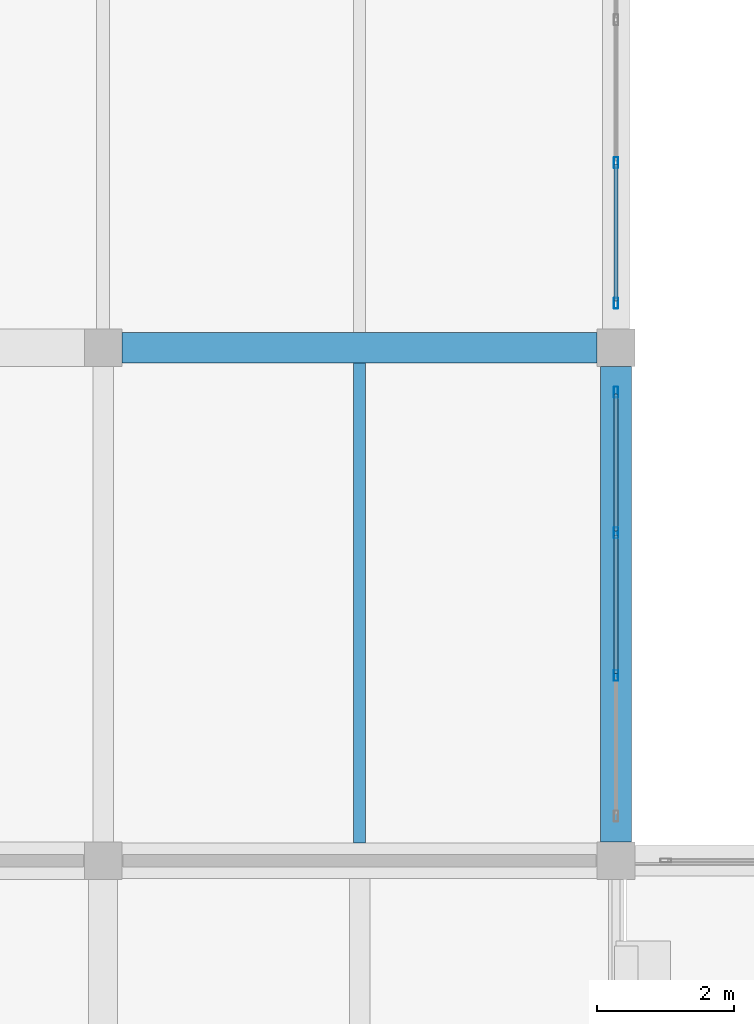
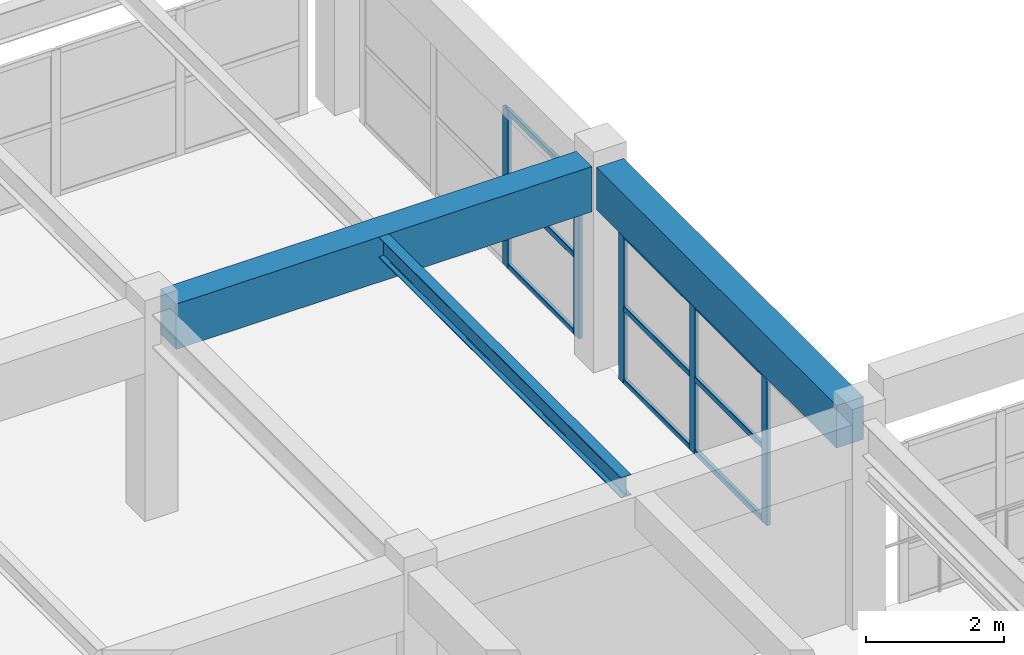
# One storey, part 34 of 101: 14 members, 3 beams, 2 elements without a shape of their own.
"""IFC4 building model written with IfcOpenShell, lengths in metres."""

from ifc_helpers import new_model, si_unit, direction, frame, origin, origin_2d, place, context, subcontext, project, spatial, rectangle, hollow_rectangle, i_section, extrude, material, material_profile, profile_set, type_object, element, aggregate, save


model = new_model("IFC4")

# Units and contexts
model_context = context("Model", 3, precision=1e-05, world=origin(), true_north=direction((0.0, 1.0)))
body_context = subcontext(model_context, "Body", "Model", "MODEL_VIEW")
ifc_project = project(units=[si_unit("LENGTHUNIT", "METRE"), si_unit("AREAUNIT", "SQUARE_METRE"), si_unit("VOLUMEUNIT", "CUBIC_METRE"), si_unit("PLANEANGLEUNIT", "RADIAN"), si_unit("MASSUNIT", "GRAM", prefix="KILO")], contexts=[model_context])

# Site, building, storey
site_placement = place(None, origin())
site = spatial("IfcSite", under=ifc_project, at=site_placement, CompositionType="ELEMENT")
building_placement = place(site_placement, origin())
building = spatial("IfcBuilding", under=site, at=building_placement, Name="Qasida Concert Hall", CompositionType="ELEMENT")
storey_placement = place(building_placement, frame((0.0, 0.0, 13.199951171875)))
storey = spatial("IfcBuildingStorey", under=building, at=storey_placement, Name="L03", CompositionType="ELEMENT", Elevation=13.199951171875)

# Beams
ifc_material_1 = material(Name="Concrete C40/50", Category="concrete")
ifc_material_profile_1 = material_profile(ifc_material_1, rectangle(XDim=0.449951171875, YDim=0.800048828125, at=origin_2d()), Name="RC 450x800")
ifc_profile_set_1 = profile_set([ifc_material_profile_1], Name="Concrete C40/50")
beam_type_1 = type_object("IfcBeamType", Name="BM-G2", PredefinedType="USERDEFINED", material=ifc_profile_set_1)
beam_1_placement = place(storey_placement, frame((30.27490234375, 45.0, 3.219970703125), z_axis=(1.0, 0.0, 0.0), x_axis=(0.0, 1.0, 0.0)))
element("IfcBeam", 1, at=beam_1_placement, inside=storey, type_object=beam_type_1, Name="Primary girder 1612", ObjectType="GIRDER", PredefinedType="USERDEFINED", context=body_context, shape_type="SweptSolid", body=[
    extrude(rectangle(XDim=0.449951171875, YDim=0.800048828125, at=origin_2d()), origin(), (0.0, 0.0, 1.0), 6.9501953125),
])
ifc_material_2 = material(Name="Steel S355J2", Category="steel")
ifc_material_profile_2 = material_profile(ifc_material_2, i_section(OverallWidth=0.169921875, OverallDepth=0.360107421875, WebThickness=0.008056640625, FlangeThickness=0.0126953125, FilletRadius=0.01806640625, at=origin_2d()), Name="IPE 360")
ifc_profile_set_2 = profile_set([ifc_material_profile_2], Name="Steel S355J2")
beam_type_2 = type_object("IfcBeamType", Name="BM-J2", PredefinedType="JOIST", material=ifc_profile_set_2)
beam_2_placement = place(storey_placement, frame((33.75, 37.760009765625, 3.43994140625), z_axis=(0.0, 1.0, 0.0), x_axis=(-1.0, 0.0, 0.0)))
element("IfcBeam", 2, at=beam_2_placement, inside=storey, type_object=beam_type_2, Name="L03 secondary joist 1657", PredefinedType="JOIST", context=body_context, shape_type="SweptSolid", body=[
    extrude(i_section(OverallWidth=0.169921875, OverallDepth=0.360107421875, WebThickness=0.008056640625, FlangeThickness=0.0126953125, FilletRadius=0.01806640625, at=origin_2d()), origin(), (0.0, 0.0, 1.0), 7.014892578125),
])
ifc_material_profile_3 = material_profile(ifc_material_1, rectangle(XDim=0.449951171875, YDim=0.75, at=origin_2d()), Name="RC 450x750")
ifc_profile_set_3 = profile_set([ifc_material_profile_3], Name="Concrete C40/50")
beam_type_3 = type_object("IfcBeamType", Name="BM-SP4", PredefinedType="SPANDREL", material=ifc_profile_set_3)
beam_3_placement = place(storey_placement, frame((37.5, 37.77490234375, 3.2451171875), z_axis=(0.0, 1.0, 0.0), x_axis=(-1.0, 0.0, 0.0)))
element("IfcBeam", 3, at=beam_3_placement, inside=storey, type_object=beam_type_3, Name="L03 girder 1634", PredefinedType="SPANDREL", context=body_context, shape_type="SweptSolid", body=[
    extrude(rectangle(XDim=0.449951171875, YDim=0.75, at=origin_2d()), origin(), (0.0, 0.0, 1.0), 6.9501953125),
])

# Curtain wall, members
ifc_material_3 = material(Name="Architectural bronze-anodized aluminium and low-E glass", Category="aluminium")
curtain_wall_type = type_object("IfcCurtainWallType", Name="CW-09", PredefinedType="NOTDEFINED", material=ifc_material_3)
curtain_wall_1_placement = place(storey_placement, origin())
curtain_wall_1 = element("IfcCurtainWall", 4, at=curtain_wall_1_placement, inside=storey, type_object=curtain_wall_type, Name="L03 curtain wall CW-09 0128", PredefinedType="NOTDEFINED")
ifc_material_4 = material(Name="Architectural bronze-anodized aluminium EN AW-6063", Category="aluminium")
ifc_material_profile_4 = material_profile(ifc_material_4, hollow_rectangle(XDim=0.06005859375, YDim=0.159912109375, WallThickness=0.00390625, InnerFilletRadius=0.00390625, OuterFilletRadius=0.008056640625, at=origin_2d()), Name="CWM 160x60x4")
ifc_profile_set_4 = profile_set([ifc_material_profile_4], Name="Architectural bronze-anodized aluminium EN AW-6063")
member_type_1 = type_object("IfcMemberType", Name="MB-CWM-3", PredefinedType="MULLION", material=ifc_profile_set_4)
member_1_placement = place(storey_placement, frame((37.5, 40.206787109375, 0.0), z_axis=(0.0, 0.0, 1.0), x_axis=(-1.0, 0.0, 0.0)))
member_1 = element("IfcMember", 5, at=member_1_placement, type_object=member_type_1, Name="CW-09 mullion 2", PredefinedType="MULLION", context=body_context, shape_type="SweptSolid", body=[
    extrude(hollow_rectangle(XDim=0.06005859375, YDim=0.159912109375, WallThickness=0.00390625, InnerFilletRadius=0.00390625, OuterFilletRadius=0.008056640625, at=origin_2d()), origin(), (0.0, 0.0, 1.0), 2.64013671875),
])
member_2_placement = place(storey_placement, frame((37.5, 42.293212890625, 0.0), z_axis=(0.0, 0.0, 1.0), x_axis=(-1.0, 0.0, 0.0)))
member_2 = element("IfcMember", 6, at=member_2_placement, type_object=member_type_1, Name="CW-09 mullion 3", PredefinedType="MULLION", context=body_context, shape_type="SweptSolid", body=[
    extrude(hollow_rectangle(XDim=0.06005859375, YDim=0.159912109375, WallThickness=0.00390625, InnerFilletRadius=0.00390625, OuterFilletRadius=0.008056640625, at=origin_2d()), origin(), (0.0, 0.0, 1.0), 2.64013671875),
])
member_3_placement = place(storey_placement, frame((37.5, 44.35009765625, 0.0), z_axis=(0.0, 0.0, 1.0), x_axis=(-1.0, 0.0, 0.0)))
member_3 = element("IfcMember", 7, at=member_3_placement, type_object=member_type_1, Name="CW-09 mullion 4", PredefinedType="MULLION", context=body_context, shape_type="SweptSolid", body=[
    extrude(hollow_rectangle(XDim=0.06005859375, YDim=0.159912109375, WallThickness=0.00390625, InnerFilletRadius=0.00390625, OuterFilletRadius=0.008056640625, at=origin_2d()), origin(), (0.0, 0.0, 1.0), 2.64013671875),
])

curtain_wall_2_placement = place(storey_placement, origin())
curtain_wall_2 = element("IfcCurtainWall", 8, at=curtain_wall_2_placement, inside=storey, type_object=curtain_wall_type, Name="L03 curtain wall CW-09 0129", PredefinedType="NOTDEFINED")
member_4_placement = place(storey_placement, frame((37.5, 45.64990234375, 0.0), z_axis=(0.0, 0.0, 1.0), x_axis=(-1.0, 0.0, 0.0)))
member_4 = element("IfcMember", 9, at=member_4_placement, type_object=member_type_1, Name="CW-09 mullion 1", PredefinedType="MULLION", context=body_context, shape_type="SweptSolid", body=[
    extrude(hollow_rectangle(XDim=0.06005859375, YDim=0.159912109375, WallThickness=0.00390625, InnerFilletRadius=0.00390625, OuterFilletRadius=0.008056640625, at=origin_2d()), origin(), (0.0, 0.0, 1.0), 2.7900390625),
])
member_5_placement = place(storey_placement, frame((37.5, 47.706787109375, 0.0), z_axis=(0.0, 0.0, 1.0), x_axis=(-1.0, 0.0, 0.0)))
member_5 = element("IfcMember", 10, at=member_5_placement, type_object=member_type_1, Name="CW-09 mullion 2", PredefinedType="MULLION", context=body_context, shape_type="SweptSolid", body=[
    extrude(hollow_rectangle(XDim=0.06005859375, YDim=0.159912109375, WallThickness=0.00390625, InnerFilletRadius=0.00390625, OuterFilletRadius=0.008056640625, at=origin_2d()), origin(), (0.0, 0.0, 1.0), 2.7900390625),
])

# Member
ifc_material_profile_5 = material_profile(ifc_material_4, hollow_rectangle(XDim=0.06005859375, YDim=0.10009765625, WallThickness=0.00341796875, InnerFilletRadius=0.00341796875, OuterFilletRadius=0.007080078125, at=origin_2d()), Name="CWT 100x60x3.5")
ifc_profile_set_5 = profile_set([ifc_material_profile_5], Name="Architectural bronze-anodized aluminium EN AW-6063")
member_type_2 = type_object("IfcMemberType", Name="MB-CWT-3", PredefinedType="USERDEFINED", material=ifc_profile_set_5)
member_6_placement = place(storey_placement, frame((37.5, 40.236572265625, 0.030029296875), z_axis=(0.0, 1.0, 0.0), x_axis=(-1.0, 0.0, 0.0)))
member_6 = element("IfcMember", 11, at=member_6_placement, type_object=member_type_2, Name="CW-09 transom 2.1", ObjectType="TRANSOM", PredefinedType="USERDEFINED", context=body_context, shape_type="SweptSolid", body=[
    extrude(hollow_rectangle(XDim=0.06005859375, YDim=0.10009765625, WallThickness=0.00341796875, InnerFilletRadius=0.00341796875, OuterFilletRadius=0.007080078125, at=origin_2d()), origin(), (0.0, 0.0, 1.0), 2.02685546875),
])

member_7_placement = place(storey_placement, frame((37.5, 40.236572265625, 1.320068359375), z_axis=(0.0, 1.0, 0.0), x_axis=(-1.0, 0.0, 0.0)))
member_7 = element("IfcMember", 12, at=member_7_placement, type_object=member_type_2, Name="CW-09 transom 2.2", ObjectType="TRANSOM", PredefinedType="USERDEFINED", context=body_context, shape_type="SweptSolid", body=[
    extrude(hollow_rectangle(XDim=0.06005859375, YDim=0.10009765625, WallThickness=0.00341796875, InnerFilletRadius=0.00341796875, OuterFilletRadius=0.007080078125, at=origin_2d()), origin(), (0.0, 0.0, 1.0), 2.02685546875),
])

member_8_placement = place(storey_placement, frame((37.5, 40.236572265625, 2.610107421875), z_axis=(0.0, 1.0, 0.0), x_axis=(-1.0, 0.0, 0.0)))
member_8 = element("IfcMember", 13, at=member_8_placement, type_object=member_type_2, Name="CW-09 transom 2.3", ObjectType="TRANSOM", PredefinedType="USERDEFINED", context=body_context, shape_type="SweptSolid", body=[
    extrude(hollow_rectangle(XDim=0.06005859375, YDim=0.10009765625, WallThickness=0.00341796875, InnerFilletRadius=0.00341796875, OuterFilletRadius=0.007080078125, at=origin_2d()), origin(), (0.0, 0.0, 1.0), 2.02685546875),
])

member_9_placement = place(storey_placement, frame((37.5, 42.3232421875, 0.030029296875), z_axis=(0.0, 1.0, 0.0), x_axis=(-1.0, 0.0, 0.0)))
member_9 = element("IfcMember", 14, at=member_9_placement, type_object=member_type_2, Name="CW-09 transom 3.1", ObjectType="TRANSOM", PredefinedType="USERDEFINED", context=body_context, shape_type="SweptSolid", body=[
    extrude(hollow_rectangle(XDim=0.06005859375, YDim=0.10009765625, WallThickness=0.00341796875, InnerFilletRadius=0.00341796875, OuterFilletRadius=0.007080078125, at=origin_2d()), origin(), (0.0, 0.0, 1.0), 1.996826171875),
])

member_10_placement = place(storey_placement, frame((37.5, 42.3232421875, 1.320068359375), z_axis=(0.0, 1.0, 0.0), x_axis=(-1.0, 0.0, 0.0)))
member_10 = element("IfcMember", 15, at=member_10_placement, type_object=member_type_2, Name="CW-09 transom 3.2", ObjectType="TRANSOM", PredefinedType="USERDEFINED", context=body_context, shape_type="SweptSolid", body=[
    extrude(hollow_rectangle(XDim=0.06005859375, YDim=0.10009765625, WallThickness=0.00341796875, InnerFilletRadius=0.00341796875, OuterFilletRadius=0.007080078125, at=origin_2d()), origin(), (0.0, 0.0, 1.0), 1.996826171875),
])

member_11_placement = place(storey_placement, frame((37.5, 42.3232421875, 2.610107421875), z_axis=(0.0, 1.0, 0.0), x_axis=(-1.0, 0.0, 0.0)))
member_11 = element("IfcMember", 16, at=member_11_placement, type_object=member_type_2, Name="CW-09 transom 3.3", ObjectType="TRANSOM", PredefinedType="USERDEFINED", context=body_context, shape_type="SweptSolid", body=[
    extrude(hollow_rectangle(XDim=0.06005859375, YDim=0.10009765625, WallThickness=0.00341796875, InnerFilletRadius=0.00341796875, OuterFilletRadius=0.007080078125, at=origin_2d()), origin(), (0.0, 0.0, 1.0), 1.996826171875),
])

aggregate(curtain_wall_1, [member_1, member_2, member_3, member_6, member_7, member_8, member_9, member_10, member_11])

member_12_placement = place(storey_placement, frame((37.5, 45.679931640625, 0.030029296875), z_axis=(0.0, 1.0, 0.0), x_axis=(-1.0, 0.0, 0.0)))
member_12 = element("IfcMember", 17, at=member_12_placement, type_object=member_type_2, Name="CW-09 transom 1.1", ObjectType="TRANSOM", PredefinedType="USERDEFINED", context=body_context, shape_type="SweptSolid", body=[
    extrude(hollow_rectangle(XDim=0.06005859375, YDim=0.10009765625, WallThickness=0.00341796875, InnerFilletRadius=0.00341796875, OuterFilletRadius=0.007080078125, at=origin_2d()), origin(), (0.0, 0.0, 1.0), 1.996826171875),
])

member_13_placement = place(storey_placement, frame((37.5, 45.679931640625, 1.39501953125), z_axis=(0.0, 1.0, 0.0), x_axis=(-1.0, 0.0, 0.0)))
member_13 = element("IfcMember", 18, at=member_13_placement, type_object=member_type_2, Name="CW-09 transom 1.2", ObjectType="TRANSOM", PredefinedType="USERDEFINED", context=body_context, shape_type="SweptSolid", body=[
    extrude(hollow_rectangle(XDim=0.06005859375, YDim=0.10009765625, WallThickness=0.00341796875, InnerFilletRadius=0.00341796875, OuterFilletRadius=0.007080078125, at=origin_2d()), origin(), (0.0, 0.0, 1.0), 1.996826171875),
])

member_14_placement = place(storey_placement, frame((37.5, 45.679931640625, 2.760009765625), z_axis=(0.0, 1.0, 0.0), x_axis=(-1.0, 0.0, 0.0)))
member_14 = element("IfcMember", 19, at=member_14_placement, type_object=member_type_2, Name="CW-09 transom 1.3", ObjectType="TRANSOM", PredefinedType="USERDEFINED", context=body_context, shape_type="SweptSolid", body=[
    extrude(hollow_rectangle(XDim=0.06005859375, YDim=0.10009765625, WallThickness=0.00341796875, InnerFilletRadius=0.00341796875, OuterFilletRadius=0.007080078125, at=origin_2d()), origin(), (0.0, 0.0, 1.0), 1.996826171875),
])

aggregate(curtain_wall_2, [member_4, member_5, member_12, member_13, member_14])

save(model, "model.ifc")
